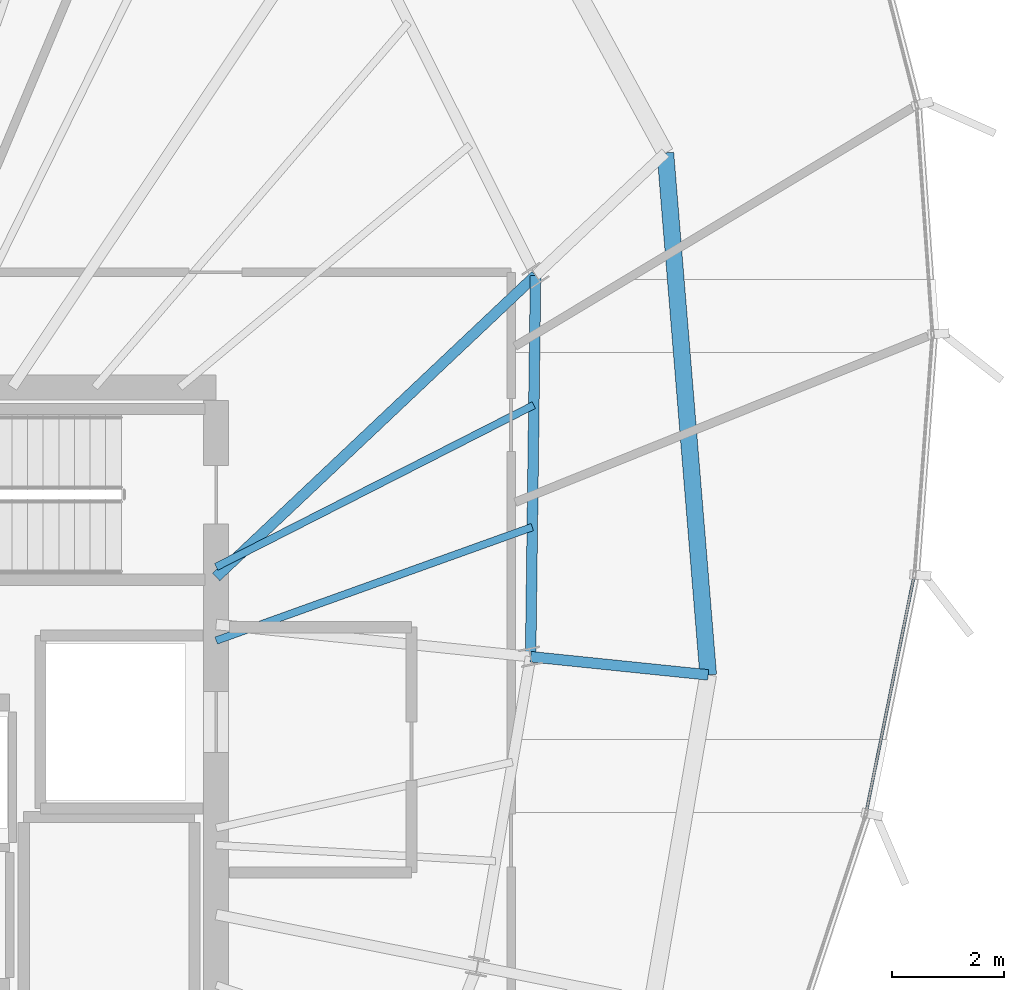
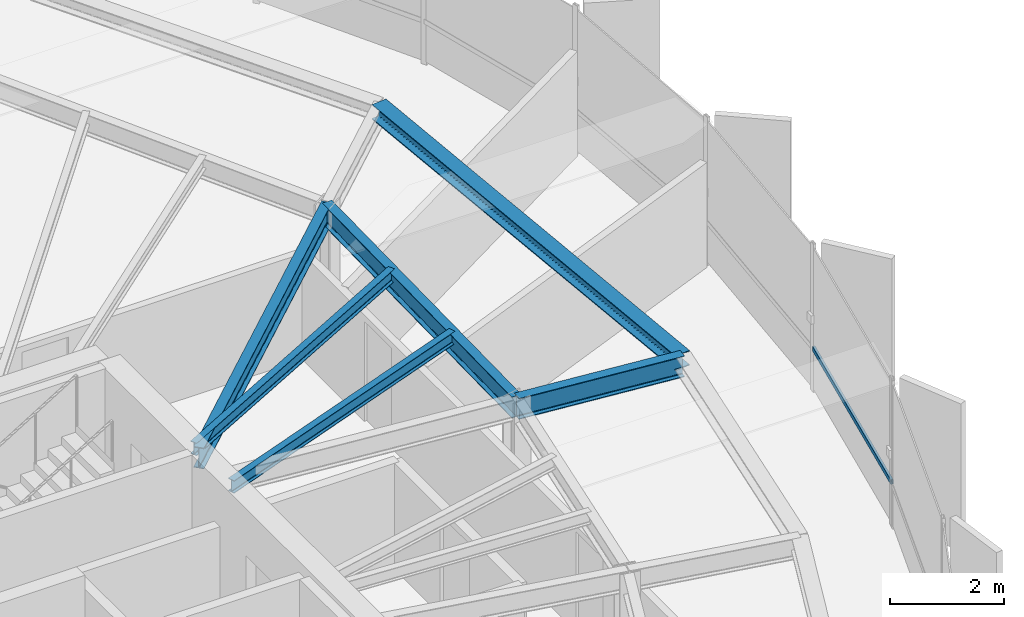
# One storey, part 17 of 35: 6 beams, 1 member, 1 element without a shape of its own.
"""IFC4 building model written with IfcOpenShell, lengths in metres."""

from ifc_helpers import new_model, si_unit, direction, frame, origin, origin_2d, place, context, subcontext, project, spatial, hollow_rectangle, i_section, extrude, source, transform, mapped, material, layer, layer_set, material_profile, profile_set, type_object, element, aggregate, save


model = new_model("IFC4")

# Units and contexts
model_context = context("Model", 3, precision=1e-05, world=origin(), true_north=direction((0.0, 1.0)))
body_context = subcontext(model_context, "Body", "Model", "MODEL_VIEW")
ifc_project = project(units=[si_unit("LENGTHUNIT", "METRE"), si_unit("AREAUNIT", "SQUARE_METRE"), si_unit("VOLUMEUNIT", "CUBIC_METRE"), si_unit("PLANEANGLEUNIT", "RADIAN"), si_unit("MASSUNIT", "GRAM", prefix="KILO"), si_unit("THERMODYNAMICTEMPERATUREUNIT", "KELVIN")], contexts=[model_context])

# Site, building, storey
site_placement = place(None, origin())
site = spatial("IfcSite", under=ifc_project, at=site_placement, CompositionType="ELEMENT")
building_placement = place(site_placement, origin())
building = spatial("IfcBuilding", under=site, at=building_placement, Name="Kethvar Cultural Tower", CompositionType="ELEMENT")
storey_placement = place(building_placement, frame((0.0, 0.0, 249.10009765625)))
storey = spatial("IfcBuildingStorey", under=building, at=storey_placement, Name="L65", CompositionType="ELEMENT", Elevation=249.10009765625)

# Beams
ifc_material_1 = material(Name="Steel S355J2", Category="steel")
ifc_material_profile_1 = material_profile(ifc_material_1, i_section(OverallWidth=0.18994140625, OverallDepth=0.449951171875, WebThickness=0.009521484375, FlangeThickness=0.0146484375, FilletRadius=0.02099609375, at=origin_2d()), Name="Steel S355J2 — IPE450")
ifc_profile_set_1 = profile_set([ifc_material_profile_1], Name="Steel S355J2 — IPE450")
beam_type_1 = type_object("IfcBeamType", Name="BM-IPE450", PredefinedType="BEAM", material=ifc_profile_set_1)
shared_shape_1 = source(origin(), body_context, "Body", "SweptSolid", [
    extrude(i_section(OverallWidth=0.18994140625, OverallDepth=0.449951171875, WebThickness=0.009521484375, FlangeThickness=0.0146484375, FilletRadius=0.02099609375, at=origin_2d()), origin(), (0.0, 0.0, 1.0), 3.199951171875),
])
beam_1_placement = place(storey_placement, frame((61.237060546875, 30.671630859375, 2.98291015625), z_axis=(0.994784019447, -0.10200369921, 0.0), x_axis=(0.10200369921, 0.994784019447, 0.0)))
element("IfcBeam", 1, at=beam_1_placement, inside=storey, type_object=beam_type_1, Name="L65 Perimeter Cantilever Beam RC-01", PredefinedType="BEAM", context=body_context, shape_type="MappedRepresentation", body=[
    mapped(shared_shape_1, transform((0.0, 0.0, 0.0), scale=1.0)),
])
shared_shape_2 = source(origin(), body_context, "Body", "SweptSolid", [
    extrude(i_section(OverallWidth=0.18994140625, OverallDepth=0.449951171875, WebThickness=0.009521484375, FlangeThickness=0.0146484375, FilletRadius=0.02099609375, at=origin_2d()), origin(), (0.0, 0.0, 1.0), 7.874267578125),
])
beam_2_placement = place(storey_placement, frame((55.60009765625, 32.10009765625, 2.98291015625), z_axis=(0.727123202456, 0.686506990823, 0.0), x_axis=(-0.686506990823, 0.727123202456, 0.0)))
element("IfcBeam", 2, at=beam_2_placement, inside=storey, type_object=beam_type_1, Name="L65 Primary Radial Beam RB-02", PredefinedType="BEAM", context=body_context, shape_type="MappedRepresentation", body=[
    mapped(shared_shape_2, transform((0.0, 0.0, 0.0), scale=1.0)),
])
shared_shape_3 = source(origin(), body_context, "Body", "SweptSolid", [
    extrude(i_section(OverallWidth=0.18994140625, OverallDepth=0.449951171875, WebThickness=0.009521484375, FlangeThickness=0.0146484375, FilletRadius=0.02099609375, at=origin_2d()), origin(), (0.0, 0.0, 1.0), 6.834716796875),
])
beam_3_placement = place(storey_placement, frame((61.237060546875, 30.671630859375, 2.98291015625), z_axis=(0.012966437445, 0.999915932216, 0.0), x_axis=(-0.999915932216, 0.012966437445, 0.0)))
element("IfcBeam", 3, at=beam_3_placement, inside=storey, type_object=beam_type_1, Name="L65 Column Ring Tie Beam CR-01", PredefinedType="BEAM", context=body_context, shape_type="MappedRepresentation", body=[
    mapped(shared_shape_3, transform((0.0, 0.0, 0.0), scale=1.0)),
])
ifc_material_profile_2 = material_profile(ifc_material_1, i_section(OverallWidth=0.300048828125, OverallDepth=0.320068359375, WebThickness=0.011474609375, FlangeThickness=0.0205078125, FilletRadius=0.027099609375, at=origin_2d()), Name="Steel S355J2 — HEB320")
ifc_profile_set_2 = profile_set([ifc_material_profile_2], Name="Steel S355J2 — HEB320")
beam_type_2 = type_object("IfcBeamType", Name="BM-SP320", PredefinedType="SPANDREL", material=ifc_profile_set_2)
shared_shape_4 = source(origin(), body_context, "Body", "SweptSolid", [
    extrude(i_section(OverallWidth=0.300048828125, OverallDepth=0.320068359375, WebThickness=0.011474609375, FlangeThickness=0.0205078125, FilletRadius=0.027099609375, at=origin_2d()), origin(), (0.0, 0.0, 1.0), 9.388916015625),
])
beam_4_placement = place(storey_placement, frame((64.42041015625, 30.34521484375, 3.0478515625), z_axis=(-0.08178004371, 0.996650402323, 0.0), x_axis=(-0.996650402323, -0.08178004371, 0.0)))
element("IfcBeam", 4, at=beam_4_placement, inside=storey, type_object=beam_type_2, Name="L65 Perimeter Spandrel Beam SP-01", PredefinedType="SPANDREL", context=body_context, shape_type="MappedRepresentation", body=[
    mapped(shared_shape_4, transform((0.0, 0.0, 0.0), scale=1.0)),
])
ifc_material_profile_3 = material_profile(ifc_material_1, i_section(OverallWidth=0.135009765625, OverallDepth=0.27001953125, WebThickness=0.006591796875, FlangeThickness=0.01025390625, FilletRadius=0.014892578125, at=origin_2d()), Name="Steel S355J2 — IPE270")
ifc_profile_set_3 = profile_set([ifc_material_profile_3], Name="Steel S355J2 — IPE270")
beam_type_3 = type_object("IfcBeamType", Name="BM-J270", PredefinedType="JOIST", material=ifc_profile_set_3)
shared_shape_5 = source(origin(), body_context, "Body", "SweptSolid", [
    extrude(i_section(OverallWidth=0.135009765625, OverallDepth=0.27001953125, WebThickness=0.006591796875, FlangeThickness=0.01025390625, FilletRadius=0.014892578125, at=origin_2d()), origin(), (0.0, 0.0, 1.0), 6.021240234375),
])
beam_5_placement = place(storey_placement, frame((55.60009765625, 30.960205078125, 3.072998046875), z_axis=(0.94114970072, 0.337990001086, 0.0), x_axis=(-0.337990001086, 0.94114970072, 0.0)))
element("IfcBeam", 5, at=beam_5_placement, inside=storey, type_object=beam_type_3, Name="L65 Composite Floor Joist J-01A", PredefinedType="JOIST", context=body_context, shape_type="MappedRepresentation", body=[
    mapped(shared_shape_5, transform((0.0, 0.0, 0.0), scale=1.0)),
])
shared_shape_6 = source(origin(), body_context, "Body", "SweptSolid", [
    extrude(i_section(OverallWidth=0.135009765625, OverallDepth=0.27001953125, WebThickness=0.006591796875, FlangeThickness=0.01025390625, FilletRadius=0.014892578125, at=origin_2d()), origin(), (0.0, 0.0, 1.0), 6.3916015625),
])
beam_6_placement = place(storey_placement, frame((55.60009765625, 32.281494140625, 3.072998046875), z_axis=(0.891094874615, 0.453817060538, 0.0), x_axis=(-0.453817060538, 0.891094874615, 0.0)))
element("IfcBeam", 6, at=beam_6_placement, inside=storey, type_object=beam_type_3, Name="L65 Composite Floor Joist J-01B", PredefinedType="JOIST", context=body_context, shape_type="MappedRepresentation", body=[
    mapped(shared_shape_6, transform((0.0, 0.0, 0.0), scale=1.0)),
])

# Curtain wall, member
ifc_material_2 = material(Name="Aluminium 6063-T6", Category="aluminium")
ifc_layer = layer(ifc_material_2, 0.179931640625, Name="Aluminium 6063-T6", Category="aluminium")
ifc_layer_set = layer_set([ifc_layer], Name="Aluminium 6063-T6 (180 mm)")
curtain_wall_type = type_object("IfcCurtainWallType", Name="CW-SYS-05-Z56", PredefinedType="NOTDEFINED", material=ifc_layer_set)
curtain_wall_placement = place(storey_placement, origin())
curtain_wall = element("IfcCurtainWall", 7, at=curtain_wall_placement, inside=storey, type_object=curtain_wall_type, Name="L65 Curtain Wall Run 06", PredefinedType="NOTDEFINED")
ifc_material_profile_4 = material_profile(ifc_material_2, hollow_rectangle(XDim=0.050048828125, YDim=0.10009765625, WallThickness=0.00390625, at=origin_2d()), Name="Aluminium 6063-T6 — RHS100x50x4")
ifc_profile_set_4 = profile_set([ifc_material_profile_4], Name="Aluminium 6063-T6 — RHS100x50x4")
member_type = type_object("IfcMemberType", Name="CW-SYS-05-Z56-TRN", PredefinedType="USERDEFINED", material=ifc_profile_set_4)
shared_shape_7 = source(origin(), body_context, "Body", "SweptSolid", [
    extrude(hollow_rectangle(XDim=0.050048828125, YDim=0.10009765625, WallThickness=0.00390625, at=origin_2d()), origin(), (0.0, 0.0, 1.0), 4.3310546875),
])
member_placement = place(storey_placement, frame((67.25048828125, 27.86962890625, 0.949951171875), z_axis=(0.198424619165, 0.98011615154, 0.0), x_axis=(-0.98011615154, 0.198424619165, 0.0)))
member = element("IfcMember", 8, at=member_placement, type_object=member_type, Name="CW-L65-R06 Transom 1", ObjectType="TRANSOM", PredefinedType="USERDEFINED", context=body_context, shape_type="MappedRepresentation", body=[
    mapped(shared_shape_7, transform((0.0, 0.0, 0.0), scale=1.0)),
])
aggregate(curtain_wall, [member])

save(model, "model.ifc")
